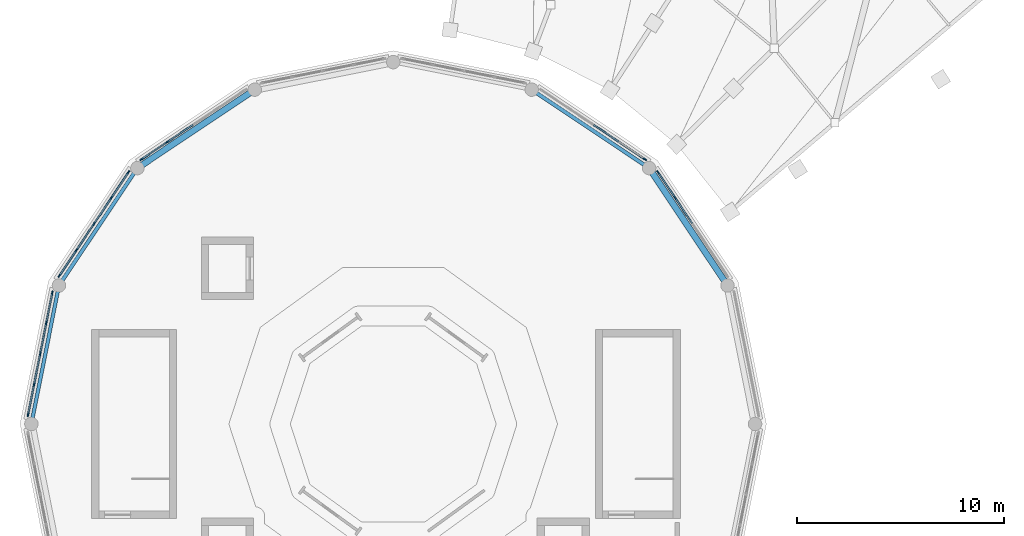
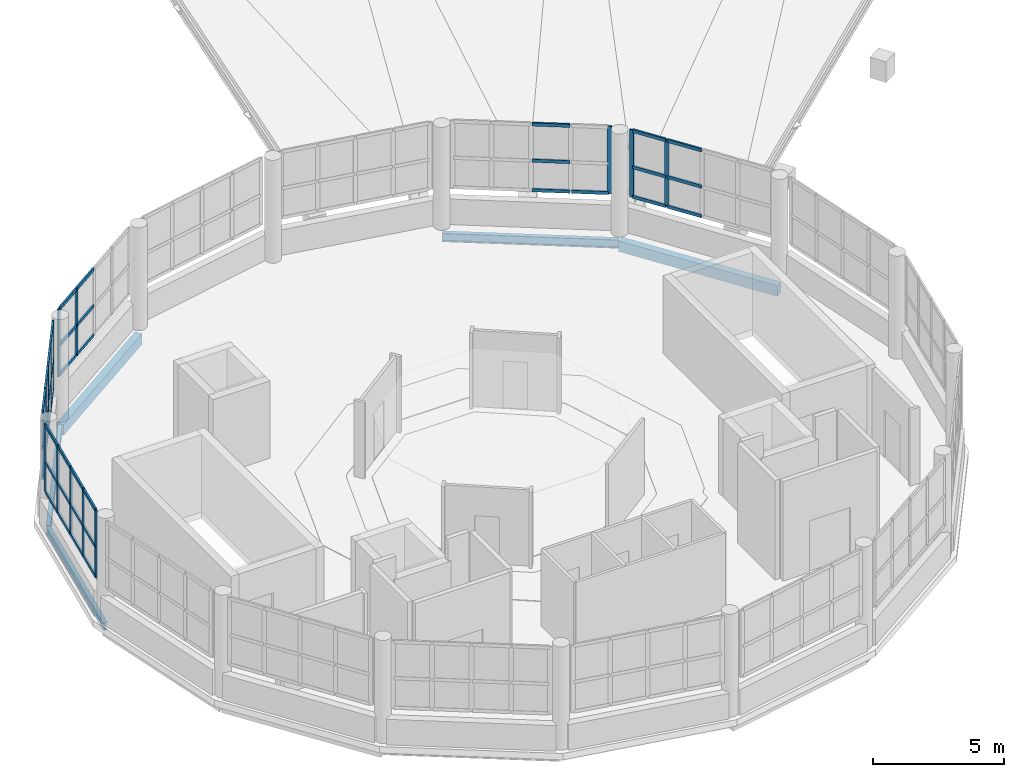
# One storey, part 4 of 12: 55 members, 5 beams, 5 elements without a shape of their own.
"""IFC4 building model written with IfcOpenShell, lengths in metres."""

import ifcopenshell
import ifcopenshell.guid

model = None  # the IFC model being written
_history = None  # IfcOwnerHistory: only IFC2X3 demands one
_inside = {}  # id of a spatial element -> (the spatial element, [elements in it])
_under = {}  # id of a project, library or spatial element -> (it, [spatial elements below it])
_declared = {}  # id of a project -> (the project, [libraries it declares])
_typed = {}  # id of a type object -> (the type object, [elements of that type])
_made_of = {}  # id of a material, layer set ... -> (it, [elements and type objects made of it])


def new_model(schema):
    """Start an empty IFC model of exactly this schema.

    Asked for "IFC4X3", IfcOpenShell would pick the latest addendum, in which some entities
    have other attributes; the version numbers below select the first issue.
    IFC2X3 requires an IfcOwnerHistory on every rooted entity: one is made here for all.
    """
    global model, _history
    if schema == "IFC4X3":
        model = ifcopenshell.file(schema_version=(4, 3, 0, 0))
    else:
        model = ifcopenshell.file(schema=schema)
    _inside.clear()
    _under.clear()
    _declared.clear()
    _typed.clear()
    _made_of.clear()
    _history = None
    if model.schema == "IFC2X3":
        org = make("IfcOrganization", Name="unknown")
        user = make(
            "IfcPersonAndOrganization",
            ThePerson=make("IfcPerson", FamilyName="unknown"),
            TheOrganization=org,
        )
        app = make(
            "IfcApplication",
            ApplicationDeveloper=org,
            Version="unknown",
            ApplicationFullName="unknown",
            ApplicationIdentifier="unknown",
        )
        _history = make(
            "IfcOwnerHistory",
            OwningUser=user,
            OwningApplication=app,
            ChangeAction="ADDED",
            CreationDate=0,
        )
    return model


def make(cls, **values):
    """One entity of the class cls with the attributes given. An attribute that is None is left unset."""
    return model.create_entity(
        cls, **{name: value for name, value in values.items() if value is not None}
    )


def rooted(cls, **values):
    """An entity with a GlobalId (a new one), such as an element, a storey or a relation."""
    return make(cls, GlobalId=ifcopenshell.guid.new(), OwnerHistory=_history, **values)


def si_unit(unit_type, name, prefix=None):
    """IfcSIUnit, for example si_unit("LENGTHUNIT", "METRE", prefix="MILLI")."""
    return make("IfcSIUnit", UnitType=unit_type, Prefix=prefix, Name=name)


def assignment(units):
    """IfcUnitAssignment: the units of a project."""
    return None if units is None else make("IfcUnitAssignment", Units=units)


def point(xyz):
    """IfcCartesianPoint."""
    return None if xyz is None else make("IfcCartesianPoint", Coordinates=xyz)


def direction(xyz):
    """IfcDirection."""
    return None if xyz is None else make("IfcDirection", DirectionRatios=xyz)


def frame(location, z_axis=None, x_axis=None):
    """IfcAxis2Placement3D, a coordinate frame: its origin and axes. An axis left out is left unset."""
    return make(
        "IfcAxis2Placement3D",
        Location=point(location),
        Axis=direction(z_axis),
        RefDirection=direction(x_axis),
    )


def frame_2d(location, x_axis=None):
    """IfcAxis2Placement2D, a coordinate frame in the plane: its origin and x axis."""
    return make(
        "IfcAxis2Placement2D", Location=point(location), RefDirection=direction(x_axis)
    )


def origin():
    """The frame at (0, 0, 0) with its axes left unset."""
    return frame((0.0, 0.0, 0.0))


def origin_2d():
    """The frame at (0, 0) in the plane with its x axis left unset."""
    return frame_2d((0.0, 0.0))


def place(relative_to, where):
    """IfcLocalPlacement: puts the frame where relative to a parent placement (None: the world)."""
    return make(
        "IfcLocalPlacement", PlacementRelTo=relative_to, RelativePlacement=where
    )


def context(
    kind, dimensions, precision=None, world=None, true_north=None, identifier=None
):
    """IfcGeometricRepresentationContext, for example the 3D "Model" context."""
    return make(
        "IfcGeometricRepresentationContext",
        ContextIdentifier=identifier,
        ContextType=kind,
        CoordinateSpaceDimension=dimensions,
        Precision=precision,
        WorldCoordinateSystem=world,
        TrueNorth=true_north,
    )


def subcontext(parent, identifier, kind, view, scale=None):
    """IfcGeometricRepresentationSubContext, for example "Body" below "Model"."""
    return make(
        "IfcGeometricRepresentationSubContext",
        ContextIdentifier=identifier,
        ContextType=kind,
        ParentContext=parent,
        TargetScale=scale,
        TargetView=view,
    )


def project(units=None, contexts=None):
    """IfcProject with its units and contexts."""
    return rooted(
        "IfcProject",
        Name="project",
        RepresentationContexts=contexts,
        UnitsInContext=assignment(units),
    )


def spatial(cls, under=None, at=None, **own):
    """A site, building, storey or space (cls), placed at a placement, below another one or the project."""
    s = rooted(cls, ObjectPlacement=at, **own)
    if under is not None:
        _under.setdefault(under.id(), (under, []))[1].append(s)
    return s


def profile(cls, at=None, kind="AREA", **sizes):
    """A parametric profile (cls). Its sizes go by their IFC names, for example OverallWidth=200.0."""
    return make(cls, ProfileType=kind, Position=at, **sizes)


def rectangle(**sizes):
    """IfcRectangleProfileDef."""
    return profile("IfcRectangleProfileDef", **sizes)


def i_section(**sizes):
    """IfcIShapeProfileDef."""
    return profile("IfcIShapeProfileDef", **sizes)


def extrude(swept, where, along, depth):
    """IfcExtrudedAreaSolid: the profile swept, set in the frame where, extruded along a direction by depth."""
    return make(
        "IfcExtrudedAreaSolid",
        SweptArea=swept,
        Position=where,
        ExtrudedDirection=direction(along),
        Depth=depth,
    )


def shape(context_of_items, identifier, shape_type, items):
    """IfcShapeRepresentation: the items that make up one representation, for example the "Body"."""
    return make(
        "IfcShapeRepresentation",
        ContextOfItems=context_of_items,
        RepresentationIdentifier=identifier,
        RepresentationType=shape_type,
        Items=items,
    )


def material(Name=None, Category=None):
    """IfcMaterial."""
    return make("IfcMaterial", Name=Name, Category=Category)


def material_profile(
    of_material, cross_section, Name=None, Category=None, Priority=None
):
    """IfcMaterialProfile: a cross section and its material."""
    return make(
        "IfcMaterialProfile",
        Name=Name,
        Material=of_material,
        Profile=cross_section,
        Priority=Priority,
        Category=Category,
    )


def profile_set(profiles, Name=None, composite=None):
    """IfcMaterialProfileSet."""
    return make(
        "IfcMaterialProfileSet",
        Name=Name,
        MaterialProfiles=profiles,
        CompositeProfile=composite,
    )


def made_of(thing, what):
    """Note that an element or type object is made of a material, layer set ...; save() writes the relation."""
    if what is not None:
        _made_of.setdefault(what.id(), (what, []))[1].append(thing)
    return thing


def type_object(cls, material=None, **own):
    """A type object (cls), such as IfcWallType, which elements share."""
    return made_of(rooted(cls, **own), material)


def element(
    cls,
    number,
    at=None,
    inside=None,
    cuts=None,
    type_object=None,
    material=None,
    context=None,
    identifier="Body",
    shape_type=None,
    held_by="IfcProductDefinitionShape",
    body=None,
    shapes=None,
    **own,
):
    """One element of the class cls, such as IfcWall. Its Tag is "e" and its number.

    at: its placement. inside: the storey or other place that contains it. cuts: it is an
    opening in that element (IfcRelVoidsElement). A single representation is given by context,
    identifier, shape_type and body (its items); several are given by shapes. held_by: the class
    of the entity that holds the representations. save() writes the other relations.
    """
    e = rooted(cls, Tag="e%d" % number, ObjectPlacement=at, **own)
    if body is not None:
        shapes = [shape(context, identifier, shape_type, body)]
    if shapes is not None:
        e.Representation = make(held_by, Representations=shapes)
    if inside is not None:
        _inside.setdefault(inside.id(), (inside, []))[1].append(e)
    if cuts is not None:
        rooted(
            "IfcRelVoidsElement", RelatingBuildingElement=cuts, RelatedOpeningElement=e
        )
    if type_object is not None:
        _typed.setdefault(type_object.id(), (type_object, []))[1].append(e)
    return made_of(e, material)


def aggregate(whole, parts):
    """IfcRelAggregates: a whole, such as a stair, and the parts it consists of."""
    return rooted("IfcRelAggregates", RelatingObject=whole, RelatedObjects=parts)


def save(model, path):
    """Write the relations noted so far, then the file.

    IfcRelAggregates (storeys below a building ...), IfcRelContainedInSpatialStructure (elements
    in a storey), IfcRelDefinesByType, IfcRelAssociatesMaterial and IfcRelDeclares: one each for
    every whole, place, type object, material and project.
    """
    for whole, parts in _under.values():
        aggregate(whole, parts)
    for where, things in _inside.values():
        rooted(
            "IfcRelContainedInSpatialStructure",
            RelatedElements=things,
            RelatingStructure=where,
        )
    for kind, things in _typed.values():
        rooted("IfcRelDefinesByType", RelatedObjects=things, RelatingType=kind)
    for what, things in _made_of.values():
        rooted("IfcRelAssociatesMaterial", RelatedObjects=things, RelatingMaterial=what)
    for by, libraries in _declared.values():
        rooted("IfcRelDeclares", RelatingContext=by, RelatedDefinitions=libraries)
    model.write(path)


model = new_model("IFC4")

# Units and contexts
model_context = context("Model", 3, precision=1e-05, world=origin(), true_north=direction((0.0, 1.0)))
body_context = subcontext(model_context, "Body", "Model", "MODEL_VIEW")
ifc_project = project(units=[si_unit("LENGTHUNIT", "METRE"), si_unit("AREAUNIT", "SQUARE_METRE"), si_unit("VOLUMEUNIT", "CUBIC_METRE"), si_unit("PLANEANGLEUNIT", "RADIAN"), si_unit("MASSUNIT", "GRAM", prefix="KILO")], contexts=[model_context])

# Site, building, storey
site_placement = place(None, origin())
site = spatial("IfcSite", under=ifc_project, at=site_placement, CompositionType="ELEMENT")
building_placement = place(site_placement, origin())
building = spatial("IfcBuilding", under=site, at=building_placement, Name="Soyqirgoq Riverine Aquarium", CompositionType="ELEMENT")
storey_placement = place(building_placement, frame((0.0, 0.0, 24.60009765625)))
storey = spatial("IfcBuildingStorey", under=building, at=storey_placement, Name="L06", CompositionType="ELEMENT", Elevation=24.60009765625)

# Curtain wall, members
ifc_material_1 = material(Name="Anodised aluminium acoustic solar-control clerestory glazing", Category="aluminium")
curtain_wall_type = type_object("IfcCurtainWallType", Name="CW_Clerestory_Ring", PredefinedType="NOTDEFINED", material=ifc_material_1)
curtain_wall_1_placement = place(storey_placement, origin())
curtain_wall_1 = element("IfcCurtainWall", 1, at=curtain_wall_1_placement, inside=storey, type_object=curtain_wall_type, Name="V1 L06 Curtain Wall 008", PredefinedType="NOTDEFINED")
ifc_material_2 = material(Name="Anodised aluminium 6063-T6", Category="aluminium")
ifc_material_profile_1 = material_profile(ifc_material_2, rectangle(XDim=0.06494140625, YDim=0.179931640625, at=origin_2d()), Name="ALU-M 65x180")
ifc_profile_set_1 = profile_set([ifc_material_profile_1], Name="Anodised aluminium 6063-T6")
member_type_1 = type_object("IfcMemberType", Name="CWMullion_65x180", PredefinedType="MULLION", material=ifc_profile_set_1)
member_1_placement = place(storey_placement, frame((69.591796875, 67.905517578125, 1.619873046875), z_axis=(0.0, 0.0, 1.0), x_axis=(-0.831463994905, -0.555578639957, 0.0)))
member_1 = element("IfcMember", 2, at=member_1_placement, type_object=member_type_1, Name="CW-02 mullion 4", PredefinedType="MULLION", context=body_context, shape_type="SweptSolid", body=[
    extrude(rectangle(XDim=0.06494140625, YDim=0.179931640625, at=origin_2d()), origin(), (0.0, 0.0, 1.0), 3.14013671875),
])
member_2_placement = place(storey_placement, frame((68.76708984375, 69.1396484375, 1.619873046875), z_axis=(0.0, 0.0, 1.0), x_axis=(-0.831463994905, -0.555578639957, 0.0)))
member_2 = element("IfcMember", 3, at=member_2_placement, type_object=member_type_1, Name="CW-02 mullion 5", PredefinedType="MULLION", context=body_context, shape_type="SweptSolid", body=[
    extrude(rectangle(XDim=0.06494140625, YDim=0.179931640625, at=origin_2d()), origin(), (0.0, 0.0, 1.0), 3.14013671875),
])

# Curtain wall, member
curtain_wall_2_placement = place(storey_placement, origin())
curtain_wall_2 = element("IfcCurtainWall", 4, at=curtain_wall_2_placement, inside=storey, type_object=curtain_wall_type, Name="V1 L06 Curtain Wall 010", PredefinedType="NOTDEFINED")
member_3_placement = place(storey_placement, frame((68.1396484375, 69.76708984375, 1.619873046875), z_axis=(0.0, 0.0, 1.0), x_axis=(-0.555578639957, -0.831463994905, 0.0)))
member_3 = element("IfcMember", 5, at=member_3_placement, type_object=member_type_1, Name="CW-02 mullion 1", PredefinedType="MULLION", context=body_context, shape_type="SweptSolid", body=[
    extrude(rectangle(XDim=0.06494140625, YDim=0.179931640625, at=origin_2d()), origin(), (0.0, 0.0, 1.0), 3.14013671875),
])

# Curtain wall, members
curtain_wall_3_placement = place(storey_placement, origin())
curtain_wall_3 = element("IfcCurtainWall", 6, at=curtain_wall_3_placement, inside=storey, type_object=curtain_wall_type, Name="V1 L06 Curtain Wall 021", PredefinedType="NOTDEFINED")
member_4_placement = place(storey_placement, frame((45.094482421875, 70.591796875, 1.619873046875), z_axis=(0.0, 0.0, 1.0), x_axis=(0.555578639957, -0.831463994905, 0.0)))
member_4 = element("IfcMember", 7, at=member_4_placement, type_object=member_type_1, Name="CW-02 mullion 4", PredefinedType="MULLION", context=body_context, shape_type="SweptSolid", body=[
    extrude(rectangle(XDim=0.06494140625, YDim=0.179931640625, at=origin_2d()), origin(), (0.0, 0.0, 1.0), 3.14013671875),
])
member_5_placement = place(storey_placement, frame((43.8603515625, 69.76708984375, 1.619873046875), z_axis=(0.0, 0.0, 1.0), x_axis=(0.555578639957, -0.831463994905, 0.0)))
member_5 = element("IfcMember", 8, at=member_5_placement, type_object=member_type_1, Name="CW-02 mullion 5", PredefinedType="MULLION", context=body_context, shape_type="SweptSolid", body=[
    extrude(rectangle(XDim=0.06494140625, YDim=0.179931640625, at=origin_2d()), origin(), (0.0, 0.0, 1.0), 3.14013671875),
])

curtain_wall_4_placement = place(storey_placement, origin())
curtain_wall_4 = element("IfcCurtainWall", 9, at=curtain_wall_4_placement, inside=storey, type_object=curtain_wall_type, Name="V1 L06 Curtain Wall 028", PredefinedType="NOTDEFINED")
member_6_placement = place(storey_placement, frame((43.23291015625, 69.1396484375, 1.619873046875), z_axis=(0.0, 0.0, 1.0), x_axis=(0.831463994905, -0.555578639957, 0.0)))
member_6 = element("IfcMember", 10, at=member_6_placement, type_object=member_type_1, Name="CW-02 mullion 1", PredefinedType="MULLION", context=body_context, shape_type="SweptSolid", body=[
    extrude(rectangle(XDim=0.06494140625, YDim=0.179931640625, at=origin_2d()), origin(), (0.0, 0.0, 1.0), 3.14013671875),
])
member_7_placement = place(storey_placement, frame((42.408203125, 67.905517578125, 1.619873046875), z_axis=(0.0, 0.0, 1.0), x_axis=(0.831463994905, -0.555578639957, 0.0)))
member_7 = element("IfcMember", 11, at=member_7_placement, type_object=member_type_1, Name="CW-02 mullion 2", PredefinedType="MULLION", context=body_context, shape_type="SweptSolid", body=[
    extrude(rectangle(XDim=0.06494140625, YDim=0.179931640625, at=origin_2d()), origin(), (0.0, 0.0, 1.0), 3.14013671875),
])
member_8_placement = place(storey_placement, frame((41.565673828125, 66.64453125, 1.619873046875), z_axis=(0.0, 0.0, 1.0), x_axis=(0.831463994905, -0.555578639957, 0.0)))
member_8 = element("IfcMember", 12, at=member_8_placement, type_object=member_type_1, Name="CW-02 mullion 3", PredefinedType="MULLION", context=body_context, shape_type="SweptSolid", body=[
    extrude(rectangle(XDim=0.06494140625, YDim=0.179931640625, at=origin_2d()), origin(), (0.0, 0.0, 1.0), 3.14013671875),
])
member_9_placement = place(storey_placement, frame((40.72314453125, 65.3837890625, 1.619873046875), z_axis=(0.0, 0.0, 1.0), x_axis=(0.831463994905, -0.555578639957, 0.0)))
member_9 = element("IfcMember", 13, at=member_9_placement, type_object=member_type_1, Name="CW-02 mullion 4", PredefinedType="MULLION", context=body_context, shape_type="SweptSolid", body=[
    extrude(rectangle(XDim=0.06494140625, YDim=0.179931640625, at=origin_2d()), origin(), (0.0, 0.0, 1.0), 3.14013671875),
])
member_10_placement = place(storey_placement, frame((39.898681640625, 64.149658203125, 1.619873046875), z_axis=(0.0, 0.0, 1.0), x_axis=(0.831463994905, -0.555578639957, 0.0)))
member_10 = element("IfcMember", 14, at=member_10_placement, type_object=member_type_1, Name="CW-02 mullion 5", PredefinedType="MULLION", context=body_context, shape_type="SweptSolid", body=[
    extrude(rectangle(XDim=0.06494140625, YDim=0.179931640625, at=origin_2d()), origin(), (0.0, 0.0, 1.0), 3.14013671875),
])

curtain_wall_5_placement = place(storey_placement, origin())
curtain_wall_5 = element("IfcCurtainWall", 15, at=curtain_wall_5_placement, inside=storey, type_object=curtain_wall_type, Name="V1 L06 Curtain Wall 030", PredefinedType="NOTDEFINED")
member_11_placement = place(storey_placement, frame((39.55908203125, 63.329833984375, 1.619873046875), z_axis=(0.0, 0.0, 1.0), x_axis=(0.980784299821, -0.19509525167, 0.0)))
member_11 = element("IfcMember", 16, at=member_11_placement, type_object=member_type_1, Name="CW-02 mullion 1", PredefinedType="MULLION", context=body_context, shape_type="SweptSolid", body=[
    extrude(rectangle(XDim=0.06494140625, YDim=0.179931640625, at=origin_2d()), origin(), (0.0, 0.0, 1.0), 3.14013671875),
])
member_12_placement = place(storey_placement, frame((39.26953125, 61.874267578125, 1.619873046875), z_axis=(0.0, 0.0, 1.0), x_axis=(0.980784299821, -0.19509525167, 0.0)))
member_12 = element("IfcMember", 17, at=member_12_placement, type_object=member_type_1, Name="CW-02 mullion 2", PredefinedType="MULLION", context=body_context, shape_type="SweptSolid", body=[
    extrude(rectangle(XDim=0.06494140625, YDim=0.179931640625, at=origin_2d()), origin(), (0.0, 0.0, 1.0), 3.14013671875),
])
member_13_placement = place(storey_placement, frame((38.9736328125, 60.38671875, 1.619873046875), z_axis=(0.0, 0.0, 1.0), x_axis=(0.980784299821, -0.19509525167, 0.0)))
member_13 = element("IfcMember", 18, at=member_13_placement, type_object=member_type_1, Name="CW-02 mullion 3", PredefinedType="MULLION", context=body_context, shape_type="SweptSolid", body=[
    extrude(rectangle(XDim=0.06494140625, YDim=0.179931640625, at=origin_2d()), origin(), (0.0, 0.0, 1.0), 3.14013671875),
])
member_14_placement = place(storey_placement, frame((38.677734375, 58.8994140625, 1.619873046875), z_axis=(0.0, 0.0, 1.0), x_axis=(0.980784299821, -0.19509525167, 0.0)))
member_14 = element("IfcMember", 19, at=member_14_placement, type_object=member_type_1, Name="CW-02 mullion 4", PredefinedType="MULLION", context=body_context, shape_type="SweptSolid", body=[
    extrude(rectangle(XDim=0.06494140625, YDim=0.179931640625, at=origin_2d()), origin(), (0.0, 0.0, 1.0), 3.14013671875),
])
member_15_placement = place(storey_placement, frame((38.38818359375, 57.44384765625, 1.619873046875), z_axis=(0.0, 0.0, 1.0), x_axis=(0.980784299821, -0.19509525167, 0.0)))
member_15 = element("IfcMember", 20, at=member_15_placement, type_object=member_type_1, Name="CW-02 mullion 5", PredefinedType="MULLION", context=body_context, shape_type="SweptSolid", body=[
    extrude(rectangle(XDim=0.06494140625, YDim=0.179931640625, at=origin_2d()), origin(), (0.0, 0.0, 1.0), 3.14013671875),
])

# Member
ifc_material_3 = material(Name="Anodised aluminium 6063-T6", Category="aluminium")
ifc_material_profile_2 = material_profile(ifc_material_3, rectangle(XDim=0.074951171875, YDim=0.14990234375, at=origin_2d()), Name="ALU-T 75x150")
ifc_profile_set_2 = profile_set([ifc_material_profile_2], Name="Anodised aluminium 6063-T6")
member_type_2 = type_object("IfcMemberType", Name="CWTransom_75x150", PredefinedType="USERDEFINED", material=ifc_profile_set_2)
member_16_placement = place(storey_placement, frame((70.416259765625, 66.671630859375, 1.657470703125), z_axis=(-0.555631247688, 0.831428840366, 0.0), x_axis=(-0.831428840366, -0.555631247688, 0.0)))
member_16 = element("IfcMember", 21, at=member_16_placement, type_object=member_type_2, Name="CW-02 transom 3.1", ObjectType="TRANSOM", PredefinedType="USERDEFINED", context=body_context, shape_type="SweptSolid", body=[
    extrude(rectangle(XDim=0.074951171875, YDim=0.14990234375, at=origin_2d()), origin(), (0.0, 0.0, 1.0), 1.45166015625),
])

member_17_placement = place(storey_placement, frame((70.416259765625, 66.671630859375, 3.032958984375), z_axis=(-0.555631247688, 0.831428840366, 0.0), x_axis=(-0.831428840366, -0.555631247688, 0.0)))
member_17 = element("IfcMember", 22, at=member_17_placement, type_object=member_type_2, Name="CW-02 transom 3.2", ObjectType="TRANSOM", PredefinedType="USERDEFINED", context=body_context, shape_type="SweptSolid", body=[
    extrude(rectangle(XDim=0.074951171875, YDim=0.14990234375, at=origin_2d()), origin(), (0.0, 0.0, 1.0), 1.45166015625),
])

member_18_placement = place(storey_placement, frame((70.416259765625, 66.671630859375, 4.722412109375), z_axis=(-0.555631247688, 0.831428840366, 0.0), x_axis=(-0.831428840366, -0.555631247688, 0.0)))
member_18 = element("IfcMember", 23, at=member_18_placement, type_object=member_type_2, Name="CW-02 transom 3.3", ObjectType="TRANSOM", PredefinedType="USERDEFINED", context=body_context, shape_type="SweptSolid", body=[
    extrude(rectangle(XDim=0.074951171875, YDim=0.14990234375, at=origin_2d()), origin(), (0.0, 0.0, 1.0), 1.45166015625),
])

member_19_placement = place(storey_placement, frame((69.57373046875, 67.9326171875, 1.657470703125), z_axis=(-0.555652606731, 0.831414566046, 0.0), x_axis=(-0.831414566046, -0.555652606731, 0.0)))
member_19 = element("IfcMember", 24, at=member_19_placement, type_object=member_type_2, Name="CW-02 transom 4.1", ObjectType="TRANSOM", PredefinedType="USERDEFINED", context=body_context, shape_type="SweptSolid", body=[
    extrude(rectangle(XDim=0.074951171875, YDim=0.14990234375, at=origin_2d()), origin(), (0.0, 0.0, 1.0), 1.419189453125),
])

member_20_placement = place(storey_placement, frame((69.57373046875, 67.9326171875, 3.032958984375), z_axis=(-0.555652606731, 0.831414566046, 0.0), x_axis=(-0.831414566046, -0.555652606731, 0.0)))
member_20 = element("IfcMember", 25, at=member_20_placement, type_object=member_type_2, Name="CW-02 transom 4.2", ObjectType="TRANSOM", PredefinedType="USERDEFINED", context=body_context, shape_type="SweptSolid", body=[
    extrude(rectangle(XDim=0.074951171875, YDim=0.14990234375, at=origin_2d()), origin(), (0.0, 0.0, 1.0), 1.419189453125),
])

member_21_placement = place(storey_placement, frame((69.57373046875, 67.9326171875, 4.722412109375), z_axis=(-0.555652606731, 0.831414566046, 0.0), x_axis=(-0.831414566046, -0.555652606731, 0.0)))
member_21 = element("IfcMember", 26, at=member_21_placement, type_object=member_type_2, Name="CW-02 transom 4.3", ObjectType="TRANSOM", PredefinedType="USERDEFINED", context=body_context, shape_type="SweptSolid", body=[
    extrude(rectangle(XDim=0.074951171875, YDim=0.14990234375, at=origin_2d()), origin(), (0.0, 0.0, 1.0), 1.419189453125),
])

aggregate(curtain_wall_1, [member_1, member_2, member_16, member_17, member_18, member_19, member_20, member_21])

member_22_placement = place(storey_placement, frame((68.112548828125, 69.78515625, 1.657470703125), z_axis=(-0.831414566046, 0.555652606731, 0.0), x_axis=(-0.555652606731, -0.831414566046, 0.0)))
member_22 = element("IfcMember", 27, at=member_22_placement, type_object=member_type_2, Name="CW-02 transom 1.1", ObjectType="TRANSOM", PredefinedType="USERDEFINED", context=body_context, shape_type="SweptSolid", body=[
    extrude(rectangle(XDim=0.074951171875, YDim=0.14990234375, at=origin_2d()), origin(), (0.0, 0.0, 1.0), 1.419189453125),
])

member_23_placement = place(storey_placement, frame((66.878662109375, 70.609619140625, 1.657470703125), z_axis=(-0.831428840366, 0.555631247688, 0.0), x_axis=(-0.555631247688, -0.831428840366, 0.0)))
member_23 = element("IfcMember", 28, at=member_23_placement, type_object=member_type_2, Name="CW-02 transom 2.1", ObjectType="TRANSOM", PredefinedType="USERDEFINED", context=body_context, shape_type="SweptSolid", body=[
    extrude(rectangle(XDim=0.074951171875, YDim=0.14990234375, at=origin_2d()), origin(), (0.0, 0.0, 1.0), 1.45166015625),
])

member_24_placement = place(storey_placement, frame((66.878662109375, 70.609619140625, 3.032958984375), z_axis=(-0.831428840366, 0.555631247688, 0.0), x_axis=(-0.555631247688, -0.831428840366, 0.0)))
member_24 = element("IfcMember", 29, at=member_24_placement, type_object=member_type_2, Name="CW-02 transom 2.2", ObjectType="TRANSOM", PredefinedType="USERDEFINED", context=body_context, shape_type="SweptSolid", body=[
    extrude(rectangle(XDim=0.074951171875, YDim=0.14990234375, at=origin_2d()), origin(), (0.0, 0.0, 1.0), 1.45166015625),
])

member_25_placement = place(storey_placement, frame((66.878662109375, 70.609619140625, 4.722412109375), z_axis=(-0.831428840366, 0.555631247688, 0.0), x_axis=(-0.555631247688, -0.831428840366, 0.0)))
member_25 = element("IfcMember", 30, at=member_25_placement, type_object=member_type_2, Name="CW-02 transom 2.3", ObjectType="TRANSOM", PredefinedType="USERDEFINED", context=body_context, shape_type="SweptSolid", body=[
    extrude(rectangle(XDim=0.074951171875, YDim=0.14990234375, at=origin_2d()), origin(), (0.0, 0.0, 1.0), 1.45166015625),
])

aggregate(curtain_wall_2, [member_3, member_22, member_23, member_24, member_25])

member_26_placement = place(storey_placement, frame((46.328369140625, 71.416259765625, 1.657470703125), z_axis=(-0.831428840366, -0.555631247688, 0.0), x_axis=(0.555631247688, -0.831428840366, 0.0)))
member_26 = element("IfcMember", 31, at=member_26_placement, type_object=member_type_2, Name="CW-02 transom 3.1", ObjectType="TRANSOM", PredefinedType="USERDEFINED", context=body_context, shape_type="SweptSolid", body=[
    extrude(rectangle(XDim=0.074951171875, YDim=0.14990234375, at=origin_2d()), origin(), (0.0, 0.0, 1.0), 1.45166015625),
])

member_27_placement = place(storey_placement, frame((46.328369140625, 71.416259765625, 3.032958984375), z_axis=(-0.831428840366, -0.555631247688, 0.0), x_axis=(0.555631247688, -0.831428840366, 0.0)))
member_27 = element("IfcMember", 32, at=member_27_placement, type_object=member_type_2, Name="CW-02 transom 3.2", ObjectType="TRANSOM", PredefinedType="USERDEFINED", context=body_context, shape_type="SweptSolid", body=[
    extrude(rectangle(XDim=0.074951171875, YDim=0.14990234375, at=origin_2d()), origin(), (0.0, 0.0, 1.0), 1.45166015625),
])

member_28_placement = place(storey_placement, frame((46.328369140625, 71.416259765625, 4.722412109375), z_axis=(-0.831428840366, -0.555631247688, 0.0), x_axis=(0.555631247688, -0.831428840366, 0.0)))
member_28 = element("IfcMember", 33, at=member_28_placement, type_object=member_type_2, Name="CW-02 transom 3.3", ObjectType="TRANSOM", PredefinedType="USERDEFINED", context=body_context, shape_type="SweptSolid", body=[
    extrude(rectangle(XDim=0.074951171875, YDim=0.14990234375, at=origin_2d()), origin(), (0.0, 0.0, 1.0), 1.45166015625),
])

member_29_placement = place(storey_placement, frame((45.0673828125, 70.57373046875, 1.657470703125), z_axis=(-0.831414566046, -0.555652606731, 0.0), x_axis=(0.555652606731, -0.831414566046, 0.0)))
member_29 = element("IfcMember", 34, at=member_29_placement, type_object=member_type_2, Name="CW-02 transom 4.1", ObjectType="TRANSOM", PredefinedType="USERDEFINED", context=body_context, shape_type="SweptSolid", body=[
    extrude(rectangle(XDim=0.074951171875, YDim=0.14990234375, at=origin_2d()), origin(), (0.0, 0.0, 1.0), 1.419189453125),
])

member_30_placement = place(storey_placement, frame((45.0673828125, 70.57373046875, 3.032958984375), z_axis=(-0.831414566046, -0.555652606731, 0.0), x_axis=(0.555652606731, -0.831414566046, 0.0)))
member_30 = element("IfcMember", 35, at=member_30_placement, type_object=member_type_2, Name="CW-02 transom 4.2", ObjectType="TRANSOM", PredefinedType="USERDEFINED", context=body_context, shape_type="SweptSolid", body=[
    extrude(rectangle(XDim=0.074951171875, YDim=0.14990234375, at=origin_2d()), origin(), (0.0, 0.0, 1.0), 1.419189453125),
])

member_31_placement = place(storey_placement, frame((45.0673828125, 70.57373046875, 4.722412109375), z_axis=(-0.831414566046, -0.555652606731, 0.0), x_axis=(0.555652606731, -0.831414566046, 0.0)))
member_31 = element("IfcMember", 36, at=member_31_placement, type_object=member_type_2, Name="CW-02 transom 4.3", ObjectType="TRANSOM", PredefinedType="USERDEFINED", context=body_context, shape_type="SweptSolid", body=[
    extrude(rectangle(XDim=0.074951171875, YDim=0.14990234375, at=origin_2d()), origin(), (0.0, 0.0, 1.0), 1.419189453125),
])

aggregate(curtain_wall_3, [member_4, member_5, member_26, member_27, member_28, member_29, member_30, member_31])

member_32_placement = place(storey_placement, frame((43.21484375, 69.112548828125, 1.657470703125), z_axis=(-0.555652606731, -0.831414566046, 0.0), x_axis=(0.831414566046, -0.555652606731, 0.0)))
member_32 = element("IfcMember", 37, at=member_32_placement, type_object=member_type_2, Name="CW-02 transom 1.1", ObjectType="TRANSOM", PredefinedType="USERDEFINED", context=body_context, shape_type="SweptSolid", body=[
    extrude(rectangle(XDim=0.074951171875, YDim=0.14990234375, at=origin_2d()), origin(), (0.0, 0.0, 1.0), 1.419189453125),
])

member_33_placement = place(storey_placement, frame((43.21484375, 69.112548828125, 3.032958984375), z_axis=(-0.555652606731, -0.831414566046, 0.0), x_axis=(0.831414566046, -0.555652606731, 0.0)))
member_33 = element("IfcMember", 38, at=member_33_placement, type_object=member_type_2, Name="CW-02 transom 1.2", ObjectType="TRANSOM", PredefinedType="USERDEFINED", context=body_context, shape_type="SweptSolid", body=[
    extrude(rectangle(XDim=0.074951171875, YDim=0.14990234375, at=origin_2d()), origin(), (0.0, 0.0, 1.0), 1.419189453125),
])

member_34_placement = place(storey_placement, frame((43.21484375, 69.112548828125, 4.722412109375), z_axis=(-0.555652606731, -0.831414566046, 0.0), x_axis=(0.831414566046, -0.555652606731, 0.0)))
member_34 = element("IfcMember", 39, at=member_34_placement, type_object=member_type_2, Name="CW-02 transom 1.3", ObjectType="TRANSOM", PredefinedType="USERDEFINED", context=body_context, shape_type="SweptSolid", body=[
    extrude(rectangle(XDim=0.074951171875, YDim=0.14990234375, at=origin_2d()), origin(), (0.0, 0.0, 1.0), 1.419189453125),
])

member_35_placement = place(storey_placement, frame((42.390380859375, 67.878662109375, 1.657470703125), z_axis=(-0.555631247688, -0.831428840366, 0.0), x_axis=(0.831428840366, -0.555631247688, 0.0)))
member_35 = element("IfcMember", 40, at=member_35_placement, type_object=member_type_2, Name="CW-02 transom 2.1", ObjectType="TRANSOM", PredefinedType="USERDEFINED", context=body_context, shape_type="SweptSolid", body=[
    extrude(rectangle(XDim=0.074951171875, YDim=0.14990234375, at=origin_2d()), origin(), (0.0, 0.0, 1.0), 1.45166015625),
])

member_36_placement = place(storey_placement, frame((42.390380859375, 67.878662109375, 3.032958984375), z_axis=(-0.555631247688, -0.831428840366, 0.0), x_axis=(0.831428840366, -0.555631247688, 0.0)))
member_36 = element("IfcMember", 41, at=member_36_placement, type_object=member_type_2, Name="CW-02 transom 2.2", ObjectType="TRANSOM", PredefinedType="USERDEFINED", context=body_context, shape_type="SweptSolid", body=[
    extrude(rectangle(XDim=0.074951171875, YDim=0.14990234375, at=origin_2d()), origin(), (0.0, 0.0, 1.0), 1.45166015625),
])

member_37_placement = place(storey_placement, frame((42.390380859375, 67.878662109375, 4.722412109375), z_axis=(-0.555631247688, -0.831428840366, 0.0), x_axis=(0.831428840366, -0.555631247688, 0.0)))
member_37 = element("IfcMember", 42, at=member_37_placement, type_object=member_type_2, Name="CW-02 transom 2.3", ObjectType="TRANSOM", PredefinedType="USERDEFINED", context=body_context, shape_type="SweptSolid", body=[
    extrude(rectangle(XDim=0.074951171875, YDim=0.14990234375, at=origin_2d()), origin(), (0.0, 0.0, 1.0), 1.45166015625),
])

member_38_placement = place(storey_placement, frame((41.547607421875, 66.61767578125, 1.657470703125), z_axis=(-0.555514980368, -0.831506528289, 0.0), x_axis=(0.831506528289, -0.555514980368, 0.0)))
member_38 = element("IfcMember", 43, at=member_38_placement, type_object=member_type_2, Name="CW-02 transom 3.1", ObjectType="TRANSOM", PredefinedType="USERDEFINED", context=body_context, shape_type="SweptSolid", body=[
    extrude(rectangle(XDim=0.074951171875, YDim=0.14990234375, at=origin_2d()), origin(), (0.0, 0.0, 1.0), 1.45166015625),
])

member_39_placement = place(storey_placement, frame((41.547607421875, 66.61767578125, 3.032958984375), z_axis=(-0.555514980368, -0.831506528289, 0.0), x_axis=(0.831506528289, -0.555514980368, 0.0)))
member_39 = element("IfcMember", 44, at=member_39_placement, type_object=member_type_2, Name="CW-02 transom 3.2", ObjectType="TRANSOM", PredefinedType="USERDEFINED", context=body_context, shape_type="SweptSolid", body=[
    extrude(rectangle(XDim=0.074951171875, YDim=0.14990234375, at=origin_2d()), origin(), (0.0, 0.0, 1.0), 1.45166015625),
])

member_40_placement = place(storey_placement, frame((41.547607421875, 66.61767578125, 4.722412109375), z_axis=(-0.555514980368, -0.831506528289, 0.0), x_axis=(0.831506528289, -0.555514980368, 0.0)))
member_40 = element("IfcMember", 45, at=member_40_placement, type_object=member_type_2, Name="CW-02 transom 3.3", ObjectType="TRANSOM", PredefinedType="USERDEFINED", context=body_context, shape_type="SweptSolid", body=[
    extrude(rectangle(XDim=0.074951171875, YDim=0.14990234375, at=origin_2d()), origin(), (0.0, 0.0, 1.0), 1.45166015625),
])

member_41_placement = place(storey_placement, frame((40.705078125, 65.356689453125, 1.657470703125), z_axis=(-0.55553367483, -0.831494038542, 0.0), x_axis=(0.831494038542, -0.55553367483, 0.0)))
member_41 = element("IfcMember", 46, at=member_41_placement, type_object=member_type_2, Name="CW-02 transom 4.1", ObjectType="TRANSOM", PredefinedType="USERDEFINED", context=body_context, shape_type="SweptSolid", body=[
    extrude(rectangle(XDim=0.074951171875, YDim=0.14990234375, at=origin_2d()), origin(), (0.0, 0.0, 1.0), 1.4189453125),
])

member_42_placement = place(storey_placement, frame((40.705078125, 65.356689453125, 3.032958984375), z_axis=(-0.55553367483, -0.831494038542, 0.0), x_axis=(0.831494038542, -0.55553367483, 0.0)))
member_42 = element("IfcMember", 47, at=member_42_placement, type_object=member_type_2, Name="CW-02 transom 4.2", ObjectType="TRANSOM", PredefinedType="USERDEFINED", context=body_context, shape_type="SweptSolid", body=[
    extrude(rectangle(XDim=0.074951171875, YDim=0.14990234375, at=origin_2d()), origin(), (0.0, 0.0, 1.0), 1.4189453125),
])

member_43_placement = place(storey_placement, frame((40.705078125, 65.356689453125, 4.722412109375), z_axis=(-0.55553367483, -0.831494038542, 0.0), x_axis=(0.831494038542, -0.55553367483, 0.0)))
member_43 = element("IfcMember", 48, at=member_43_placement, type_object=member_type_2, Name="CW-02 transom 4.3", ObjectType="TRANSOM", PredefinedType="USERDEFINED", context=body_context, shape_type="SweptSolid", body=[
    extrude(rectangle(XDim=0.074951171875, YDim=0.14990234375, at=origin_2d()), origin(), (0.0, 0.0, 1.0), 1.4189453125),
])

aggregate(curtain_wall_4, [member_6, member_7, member_8, member_9, member_10, member_32, member_33, member_34, member_35, member_36, member_37, member_38, member_39, member_40, member_41, member_42, member_43])

member_44_placement = place(storey_placement, frame((39.552734375, 63.2978515625, 1.657470703125), z_axis=(-0.195090420246, -0.980785260864, 0.0), x_axis=(0.980785260864, -0.195090420246, 0.0)))
member_44 = element("IfcMember", 49, at=member_44_placement, type_object=member_type_2, Name="CW-02 transom 1.1", ObjectType="TRANSOM", PredefinedType="USERDEFINED", context=body_context, shape_type="SweptSolid", body=[
    extrude(rectangle(XDim=0.074951171875, YDim=0.14990234375, at=origin_2d()), origin(), (0.0, 0.0, 1.0), 1.419189453125),
])

member_45_placement = place(storey_placement, frame((39.552734375, 63.2978515625, 3.032958984375), z_axis=(-0.195090420246, -0.980785260864, 0.0), x_axis=(0.980785260864, -0.195090420246, 0.0)))
member_45 = element("IfcMember", 50, at=member_45_placement, type_object=member_type_2, Name="CW-02 transom 1.2", ObjectType="TRANSOM", PredefinedType="USERDEFINED", context=body_context, shape_type="SweptSolid", body=[
    extrude(rectangle(XDim=0.074951171875, YDim=0.14990234375, at=origin_2d()), origin(), (0.0, 0.0, 1.0), 1.419189453125),
])

member_46_placement = place(storey_placement, frame((39.552734375, 63.2978515625, 4.722412109375), z_axis=(-0.195090420246, -0.980785260864, 0.0), x_axis=(0.980785260864, -0.195090420246, 0.0)))
member_46 = element("IfcMember", 51, at=member_46_placement, type_object=member_type_2, Name="CW-02 transom 1.3", ObjectType="TRANSOM", PredefinedType="USERDEFINED", context=body_context, shape_type="SweptSolid", body=[
    extrude(rectangle(XDim=0.074951171875, YDim=0.14990234375, at=origin_2d()), origin(), (0.0, 0.0, 1.0), 1.419189453125),
])

member_47_placement = place(storey_placement, frame((39.26318359375, 61.84228515625, 1.657470703125), z_axis=(-0.195113295173, -0.980780710478, 0.0), x_axis=(0.980780710478, -0.195113295173, 0.0)))
member_47 = element("IfcMember", 52, at=member_47_placement, type_object=member_type_2, Name="CW-02 transom 2.1", ObjectType="TRANSOM", PredefinedType="USERDEFINED", context=body_context, shape_type="SweptSolid", body=[
    extrude(rectangle(XDim=0.074951171875, YDim=0.14990234375, at=origin_2d()), origin(), (0.0, 0.0, 1.0), 1.451416015625),
])

member_48_placement = place(storey_placement, frame((39.26318359375, 61.84228515625, 3.032958984375), z_axis=(-0.195113295173, -0.980780710478, 0.0), x_axis=(0.980780710478, -0.195113295173, 0.0)))
member_48 = element("IfcMember", 53, at=member_48_placement, type_object=member_type_2, Name="CW-02 transom 2.2", ObjectType="TRANSOM", PredefinedType="USERDEFINED", context=body_context, shape_type="SweptSolid", body=[
    extrude(rectangle(XDim=0.074951171875, YDim=0.14990234375, at=origin_2d()), origin(), (0.0, 0.0, 1.0), 1.451416015625),
])

member_49_placement = place(storey_placement, frame((39.26318359375, 61.84228515625, 4.722412109375), z_axis=(-0.195113295173, -0.980780710478, 0.0), x_axis=(0.980780710478, -0.195113295173, 0.0)))
member_49 = element("IfcMember", 54, at=member_49_placement, type_object=member_type_2, Name="CW-02 transom 2.3", ObjectType="TRANSOM", PredefinedType="USERDEFINED", context=body_context, shape_type="SweptSolid", body=[
    extrude(rectangle(XDim=0.074951171875, YDim=0.14990234375, at=origin_2d()), origin(), (0.0, 0.0, 1.0), 1.451416015625),
])

member_50_placement = place(storey_placement, frame((38.96728515625, 60.35498046875, 1.657470703125), z_axis=(-0.195081112847, -0.980787112176, 0.0), x_axis=(0.980787112176, -0.195081112847, 0.0)))
member_50 = element("IfcMember", 55, at=member_50_placement, type_object=member_type_2, Name="CW-02 transom 3.1", ObjectType="TRANSOM", PredefinedType="USERDEFINED", context=body_context, shape_type="SweptSolid", body=[
    extrude(rectangle(XDim=0.074951171875, YDim=0.14990234375, at=origin_2d()), origin(), (0.0, 0.0, 1.0), 1.45166015625),
])

member_51_placement = place(storey_placement, frame((38.96728515625, 60.35498046875, 3.032958984375), z_axis=(-0.195081112847, -0.980787112176, 0.0), x_axis=(0.980787112176, -0.195081112847, 0.0)))
member_51 = element("IfcMember", 56, at=member_51_placement, type_object=member_type_2, Name="CW-02 transom 3.2", ObjectType="TRANSOM", PredefinedType="USERDEFINED", context=body_context, shape_type="SweptSolid", body=[
    extrude(rectangle(XDim=0.074951171875, YDim=0.14990234375, at=origin_2d()), origin(), (0.0, 0.0, 1.0), 1.45166015625),
])

member_52_placement = place(storey_placement, frame((38.96728515625, 60.35498046875, 4.722412109375), z_axis=(-0.195081112847, -0.980787112176, 0.0), x_axis=(0.980787112176, -0.195081112847, 0.0)))
member_52 = element("IfcMember", 57, at=member_52_placement, type_object=member_type_2, Name="CW-02 transom 3.3", ObjectType="TRANSOM", PredefinedType="USERDEFINED", context=body_context, shape_type="SweptSolid", body=[
    extrude(rectangle(XDim=0.074951171875, YDim=0.14990234375, at=origin_2d()), origin(), (0.0, 0.0, 1.0), 1.45166015625),
])

member_53_placement = place(storey_placement, frame((38.67138671875, 58.867431640625, 1.657470703125), z_axis=(-0.195090420246, -0.980785260864, 0.0), x_axis=(0.980785260864, -0.195090420246, 0.0)))
member_53 = element("IfcMember", 58, at=member_53_placement, type_object=member_type_2, Name="CW-02 transom 4.1", ObjectType="TRANSOM", PredefinedType="USERDEFINED", context=body_context, shape_type="SweptSolid", body=[
    extrude(rectangle(XDim=0.074951171875, YDim=0.14990234375, at=origin_2d()), origin(), (0.0, 0.0, 1.0), 1.419189453125),
])

member_54_placement = place(storey_placement, frame((38.67138671875, 58.867431640625, 3.032958984375), z_axis=(-0.195090420246, -0.980785260864, 0.0), x_axis=(0.980785260864, -0.195090420246, 0.0)))
member_54 = element("IfcMember", 59, at=member_54_placement, type_object=member_type_2, Name="CW-02 transom 4.2", ObjectType="TRANSOM", PredefinedType="USERDEFINED", context=body_context, shape_type="SweptSolid", body=[
    extrude(rectangle(XDim=0.074951171875, YDim=0.14990234375, at=origin_2d()), origin(), (0.0, 0.0, 1.0), 1.419189453125),
])

member_55_placement = place(storey_placement, frame((38.67138671875, 58.867431640625, 4.722412109375), z_axis=(-0.195090420246, -0.980785260864, 0.0), x_axis=(0.980785260864, -0.195090420246, 0.0)))
member_55 = element("IfcMember", 60, at=member_55_placement, type_object=member_type_2, Name="CW-02 transom 4.3", ObjectType="TRANSOM", PredefinedType="USERDEFINED", context=body_context, shape_type="SweptSolid", body=[
    extrude(rectangle(XDim=0.074951171875, YDim=0.14990234375, at=origin_2d()), origin(), (0.0, 0.0, 1.0), 1.419189453125),
])

aggregate(curtain_wall_5, [member_11, member_12, member_13, member_14, member_15, member_44, member_45, member_46, member_47, member_48, member_49, member_50, member_51, member_52, member_53, member_54, member_55])

# Beams
ifc_material_4 = material(Name="Concrete C40/50", Category="concrete")
ifc_material_profile_3 = material_profile(ifc_material_4, rectangle(XDim=0.300048828125, YDim=0.5, at=origin_2d()), Name="RC 300x500")
ifc_profile_set_3 = profile_set([ifc_material_profile_3], Name="Concrete C40/50")
beam_type_1 = type_object("IfcBeamType", Name="Spandrel_RC_300x500", PredefinedType="SPANDREL", material=ifc_profile_set_3)
for number, where, z_axis, x_axis, name in (
    (61, (72.110595703125, 63.6943359375, -0.550048828125), (-0.555557213186, 0.83147831173, 0.0), (-0.83147831173, -0.555557213186, 0.0), "V1 L06 Drum Spandrel Beam 0139"),
    (62, (49.3056640625, 73.110595703125, -0.550048828125), (-0.83147831173, -0.555557213186, 0.0), (0.555557213186, -0.83147831173, 0.0), "V1 L06 Drum Spandrel Beam 0143"),
):
    element("IfcBeam", number, at=place(storey_placement, frame(where, z_axis=z_axis, x_axis=x_axis)), inside=storey, type_object=beam_type_1, Name=name, PredefinedType="SPANDREL", context=body_context, shape_type="SweptSolid", body=[
        extrude(rectangle(XDim=0.300048828125, YDim=0.5, at=origin_2d()), origin(), (0.0, 0.0, 1.0), 6.768798828125),
    ])
ifc_material_5 = material(Name="Structural steel S355", Category="steel")
ifc_material_profile_4 = material_profile(ifc_material_5, i_section(OverallWidth=0.169921875, OverallDepth=0.360107421875, WebThickness=0.008056640625, FlangeThickness=0.0126953125, FilletRadius=0.01806640625, at=origin_2d()), Name="IPE 360")
ifc_profile_set_4 = profile_set([ifc_material_profile_4], Name="Structural steel S355")
beam_type_2 = type_object("IfcBeamType", Name="Spandrel_Steel_IPE360", PredefinedType="SPANDREL", material=ifc_profile_set_4)
beam_placement = place(storey_placement, frame((39.87451171875, 63.658203125, -0.47998046875), z_axis=(-0.195096390568, -0.980784073274, 0.0), x_axis=(0.980784073274, -0.195096390568, 0.0)))
element("IfcBeam", 63, at=beam_placement, inside=storey, type_object=beam_type_2, Name="V1 L06 Drum Spandrel Beam 0145", PredefinedType="SPANDREL", context=body_context, shape_type="SweptSolid", body=[
    extrude(i_section(OverallWidth=0.169921875, OverallDepth=0.360107421875, WebThickness=0.008056640625, FlangeThickness=0.0126953125, FilletRadius=0.01806640625, at=origin_2d()), origin(), (0.0, 0.0, 1.0), 6.768798828125),
])
ifc_material_6 = material(Name="Structural steel S355", Category="steel")
ifc_material_profile_5 = material_profile(ifc_material_6, i_section(OverallWidth=0.179931640625, OverallDepth=0.39990234375, WebThickness=0.008544921875, FlangeThickness=0.013427734375, FilletRadius=0.02099609375, at=origin_2d()), Name="IPE 400")
ifc_profile_set_5 = profile_set([ifc_material_profile_5], Name="Structural steel S355")
beam_type_3 = type_object("IfcBeamType", Name="Spandrel_Steel_IPE400", PredefinedType="SPANDREL", material=ifc_profile_set_5)
for number, where, z_axis, x_axis, name in (
    (64, (68.322509765625, 69.35009765625, -0.5), (-0.83147831173, 0.555557213186, 0.0), (-0.555557213186, -0.83147831173, 0.0), "V1 L06 Drum Spandrel Beam 0140"),
    (65, (43.64990234375, 69.322509765625, -0.5), (-0.555557213186, -0.83147831173, 0.0), (0.83147831173, -0.555557213186, 0.0), "V1 L06 Drum Spandrel Beam 0144"),
):
    element("IfcBeam", number, at=place(storey_placement, frame(where, z_axis=z_axis, x_axis=x_axis)), inside=storey, type_object=beam_type_3, Name=name, PredefinedType="SPANDREL", context=body_context, shape_type="SweptSolid", body=[
        extrude(i_section(OverallWidth=0.179931640625, OverallDepth=0.39990234375, WebThickness=0.008544921875, FlangeThickness=0.013427734375, FilletRadius=0.02099609375, at=origin_2d()), origin(), (0.0, 0.0, 1.0), 6.768798828125),
    ])

save(model, "model.ifc")
